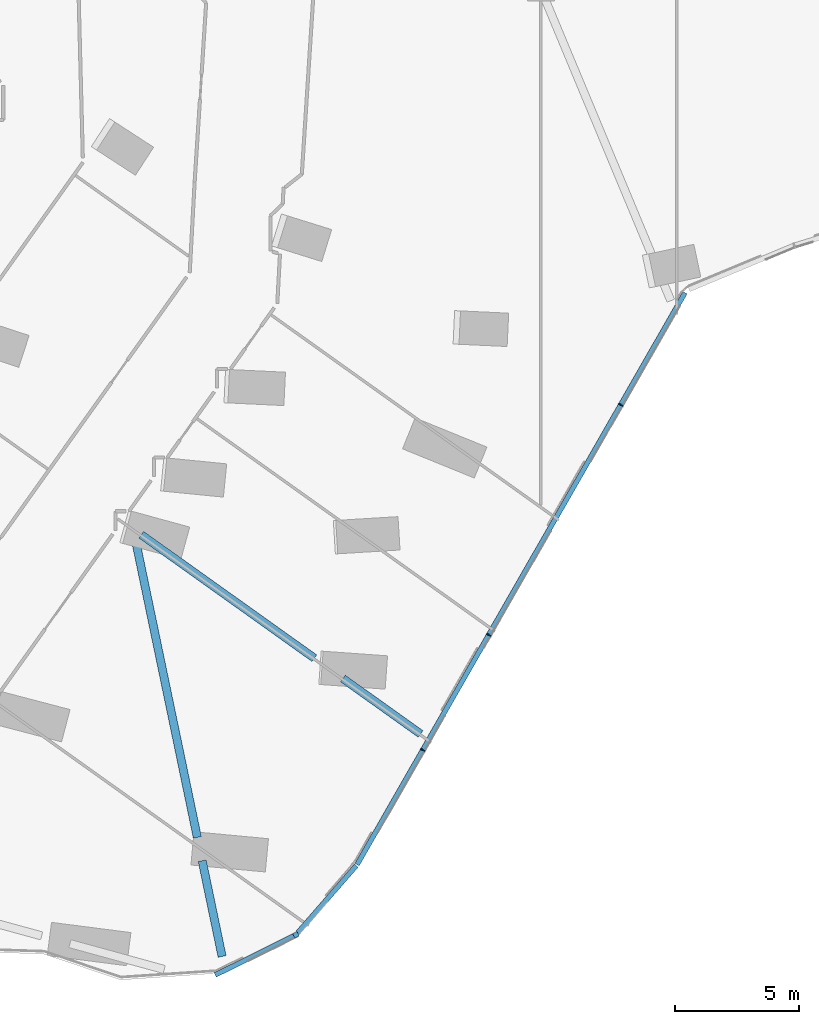
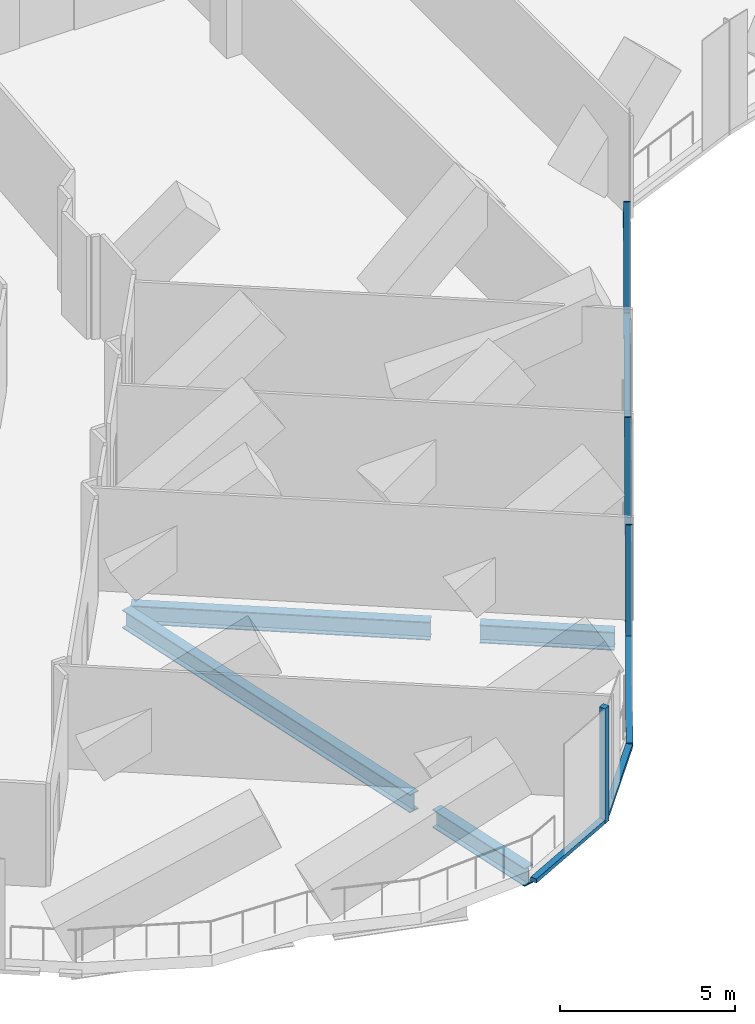
# One storey, part 5 of 34: 7 members, 4 beams, 3 elements without a shape of their own.
"""IFC4 building model written with IfcOpenShell, lengths in metres."""

import ifcopenshell
import ifcopenshell.guid

model = None  # the IFC model being written
_history = None  # IfcOwnerHistory: only IFC2X3 demands one
_inside = {}  # id of a spatial element -> (the spatial element, [elements in it])
_under = {}  # id of a project, library or spatial element -> (it, [spatial elements below it])
_declared = {}  # id of a project -> (the project, [libraries it declares])
_typed = {}  # id of a type object -> (the type object, [elements of that type])
_made_of = {}  # id of a material, layer set ... -> (it, [elements and type objects made of it])


def new_model(schema):
    """Start an empty IFC model of exactly this schema.

    Asked for "IFC4X3", IfcOpenShell would pick the latest addendum, in which some entities
    have other attributes; the version numbers below select the first issue.
    IFC2X3 requires an IfcOwnerHistory on every rooted entity: one is made here for all.
    """
    global model, _history
    if schema == "IFC4X3":
        model = ifcopenshell.file(schema_version=(4, 3, 0, 0))
    else:
        model = ifcopenshell.file(schema=schema)
    _inside.clear()
    _under.clear()
    _declared.clear()
    _typed.clear()
    _made_of.clear()
    _history = None
    if model.schema == "IFC2X3":
        org = make("IfcOrganization", Name="unknown")
        user = make(
            "IfcPersonAndOrganization",
            ThePerson=make("IfcPerson", FamilyName="unknown"),
            TheOrganization=org,
        )
        app = make(
            "IfcApplication",
            ApplicationDeveloper=org,
            Version="unknown",
            ApplicationFullName="unknown",
            ApplicationIdentifier="unknown",
        )
        _history = make(
            "IfcOwnerHistory",
            OwningUser=user,
            OwningApplication=app,
            ChangeAction="ADDED",
            CreationDate=0,
        )
    return model


def make(cls, **values):
    """One entity of the class cls with the attributes given. An attribute that is None is left unset."""
    return model.create_entity(
        cls, **{name: value for name, value in values.items() if value is not None}
    )


def rooted(cls, **values):
    """An entity with a GlobalId (a new one), such as an element, a storey or a relation."""
    return make(cls, GlobalId=ifcopenshell.guid.new(), OwnerHistory=_history, **values)


def si_unit(unit_type, name, prefix=None):
    """IfcSIUnit, for example si_unit("LENGTHUNIT", "METRE", prefix="MILLI")."""
    return make("IfcSIUnit", UnitType=unit_type, Prefix=prefix, Name=name)


def assignment(units):
    """IfcUnitAssignment: the units of a project."""
    return None if units is None else make("IfcUnitAssignment", Units=units)


def point(xyz):
    """IfcCartesianPoint."""
    return None if xyz is None else make("IfcCartesianPoint", Coordinates=xyz)


def direction(xyz):
    """IfcDirection."""
    return None if xyz is None else make("IfcDirection", DirectionRatios=xyz)


def frame(location, z_axis=None, x_axis=None):
    """IfcAxis2Placement3D, a coordinate frame: its origin and axes. An axis left out is left unset."""
    return make(
        "IfcAxis2Placement3D",
        Location=point(location),
        Axis=direction(z_axis),
        RefDirection=direction(x_axis),
    )


def frame_2d(location, x_axis=None):
    """IfcAxis2Placement2D, a coordinate frame in the plane: its origin and x axis."""
    return make(
        "IfcAxis2Placement2D", Location=point(location), RefDirection=direction(x_axis)
    )


def origin():
    """The frame at (0, 0, 0) with its axes left unset."""
    return frame((0.0, 0.0, 0.0))


def origin_2d():
    """The frame at (0, 0) in the plane with its x axis left unset."""
    return frame_2d((0.0, 0.0))


def place(relative_to, where):
    """IfcLocalPlacement: puts the frame where relative to a parent placement (None: the world)."""
    return make(
        "IfcLocalPlacement", PlacementRelTo=relative_to, RelativePlacement=where
    )


def context(
    kind, dimensions, precision=None, world=None, true_north=None, identifier=None
):
    """IfcGeometricRepresentationContext, for example the 3D "Model" context."""
    return make(
        "IfcGeometricRepresentationContext",
        ContextIdentifier=identifier,
        ContextType=kind,
        CoordinateSpaceDimension=dimensions,
        Precision=precision,
        WorldCoordinateSystem=world,
        TrueNorth=true_north,
    )


def subcontext(parent, identifier, kind, view, scale=None):
    """IfcGeometricRepresentationSubContext, for example "Body" below "Model"."""
    return make(
        "IfcGeometricRepresentationSubContext",
        ContextIdentifier=identifier,
        ContextType=kind,
        ParentContext=parent,
        TargetScale=scale,
        TargetView=view,
    )


def project(units=None, contexts=None):
    """IfcProject with its units and contexts."""
    return rooted(
        "IfcProject",
        Name="project",
        RepresentationContexts=contexts,
        UnitsInContext=assignment(units),
    )


def spatial(cls, under=None, at=None, **own):
    """A site, building, storey or space (cls), placed at a placement, below another one or the project."""
    s = rooted(cls, ObjectPlacement=at, **own)
    if under is not None:
        _under.setdefault(under.id(), (under, []))[1].append(s)
    return s


def profile(cls, at=None, kind="AREA", **sizes):
    """A parametric profile (cls). Its sizes go by their IFC names, for example OverallWidth=200.0."""
    return make(cls, ProfileType=kind, Position=at, **sizes)


def rectangle(**sizes):
    """IfcRectangleProfileDef."""
    return profile("IfcRectangleProfileDef", **sizes)


def i_section(**sizes):
    """IfcIShapeProfileDef."""
    return profile("IfcIShapeProfileDef", **sizes)


def extrude(swept, where, along, depth):
    """IfcExtrudedAreaSolid: the profile swept, set in the frame where, extruded along a direction by depth."""
    return make(
        "IfcExtrudedAreaSolid",
        SweptArea=swept,
        Position=where,
        ExtrudedDirection=direction(along),
        Depth=depth,
    )


def shape(context_of_items, identifier, shape_type, items):
    """IfcShapeRepresentation: the items that make up one representation, for example the "Body"."""
    return make(
        "IfcShapeRepresentation",
        ContextOfItems=context_of_items,
        RepresentationIdentifier=identifier,
        RepresentationType=shape_type,
        Items=items,
    )


def material(Name=None, Category=None):
    """IfcMaterial."""
    return make("IfcMaterial", Name=Name, Category=Category)


def material_profile(
    of_material, cross_section, Name=None, Category=None, Priority=None
):
    """IfcMaterialProfile: a cross section and its material."""
    return make(
        "IfcMaterialProfile",
        Name=Name,
        Material=of_material,
        Profile=cross_section,
        Priority=Priority,
        Category=Category,
    )


def profile_set(profiles, Name=None, composite=None):
    """IfcMaterialProfileSet."""
    return make(
        "IfcMaterialProfileSet",
        Name=Name,
        MaterialProfiles=profiles,
        CompositeProfile=composite,
    )


def made_of(thing, what):
    """Note that an element or type object is made of a material, layer set ...; save() writes the relation."""
    if what is not None:
        _made_of.setdefault(what.id(), (what, []))[1].append(thing)
    return thing


def type_object(cls, material=None, **own):
    """A type object (cls), such as IfcWallType, which elements share."""
    return made_of(rooted(cls, **own), material)


def element(
    cls,
    number,
    at=None,
    inside=None,
    cuts=None,
    type_object=None,
    material=None,
    context=None,
    identifier="Body",
    shape_type=None,
    held_by="IfcProductDefinitionShape",
    body=None,
    shapes=None,
    **own,
):
    """One element of the class cls, such as IfcWall. Its Tag is "e" and its number.

    at: its placement. inside: the storey or other place that contains it. cuts: it is an
    opening in that element (IfcRelVoidsElement). A single representation is given by context,
    identifier, shape_type and body (its items); several are given by shapes. held_by: the class
    of the entity that holds the representations. save() writes the other relations.
    """
    e = rooted(cls, Tag="e%d" % number, ObjectPlacement=at, **own)
    if body is not None:
        shapes = [shape(context, identifier, shape_type, body)]
    if shapes is not None:
        e.Representation = make(held_by, Representations=shapes)
    if inside is not None:
        _inside.setdefault(inside.id(), (inside, []))[1].append(e)
    if cuts is not None:
        rooted(
            "IfcRelVoidsElement", RelatingBuildingElement=cuts, RelatedOpeningElement=e
        )
    if type_object is not None:
        _typed.setdefault(type_object.id(), (type_object, []))[1].append(e)
    return made_of(e, material)


def aggregate(whole, parts):
    """IfcRelAggregates: a whole, such as a stair, and the parts it consists of."""
    return rooted("IfcRelAggregates", RelatingObject=whole, RelatedObjects=parts)


def save(model, path):
    """Write the relations noted so far, then the file.

    IfcRelAggregates (storeys below a building ...), IfcRelContainedInSpatialStructure (elements
    in a storey), IfcRelDefinesByType, IfcRelAssociatesMaterial and IfcRelDeclares: one each for
    every whole, place, type object, material and project.
    """
    for whole, parts in _under.values():
        aggregate(whole, parts)
    for where, things in _inside.values():
        rooted(
            "IfcRelContainedInSpatialStructure",
            RelatedElements=things,
            RelatingStructure=where,
        )
    for kind, things in _typed.values():
        rooted("IfcRelDefinesByType", RelatedObjects=things, RelatingType=kind)
    for what, things in _made_of.values():
        rooted("IfcRelAssociatesMaterial", RelatedObjects=things, RelatingMaterial=what)
    for by, libraries in _declared.values():
        rooted("IfcRelDeclares", RelatingContext=by, RelatedDefinitions=libraries)
    model.write(path)


model = new_model("IFC4")

# Units and contexts
model_context = context("Model", 3, precision=1e-05, world=origin(), true_north=direction((0.0, 1.0)))
body_context = subcontext(model_context, "Body", "Model", "MODEL_VIEW")
ifc_project = project(units=[si_unit("LENGTHUNIT", "METRE"), si_unit("AREAUNIT", "SQUARE_METRE"), si_unit("VOLUMEUNIT", "CUBIC_METRE"), si_unit("PLANEANGLEUNIT", "RADIAN"), si_unit("MASSUNIT", "GRAM", prefix="KILO")], contexts=[model_context])

# Site, building, storey
site_placement = place(None, origin())
site = spatial("IfcSite", under=ifc_project, at=site_placement, CompositionType="ELEMENT")
building_placement = place(site_placement, origin())
building = spatial("IfcBuilding", under=site, at=building_placement, Name="Orlundy Tower", CompositionType="ELEMENT")
storey_placement = place(building_placement, frame((0.0, 0.0, 98.199951171875)))
storey = spatial("IfcBuildingStorey", under=building, at=storey_placement, Name="L24", CompositionType="ELEMENT", Elevation=98.199951171875)

# Beams
ifc_material_1 = material(Name="Steel ASTM A992 Gr 50", Category="steel")
ifc_material_profile_1 = material_profile(ifc_material_1, i_section(OverallWidth=0.3291015625, OverallDepth=0.635009765625, WebThickness=0.017822265625, FlangeThickness=0.031005859375, at=origin_2d()), Name="W24X162")
ifc_profile_set_1 = profile_set([ifc_material_profile_1], Name="Steel ASTM A992 Gr 50")
beam_type = type_object("IfcBeamType", Name="CANTILEVER GIRDER beam W24X162", PredefinedType="BEAM", material=ifc_profile_set_1)
beam_1_placement = place(storey_placement, frame((-4.861572265625, -48.080078125, -0.717529296875), z_axis=(-0.814169670951, 0.580627029085, 0.0), x_axis=(-0.580627029085, -0.814169670951, 0.0)))
element("IfcBeam", 1, at=beam_1_placement, inside=storey, type_object=beam_type, Name="Cantilever girder C-B5-2 L24", PredefinedType="BEAM", context=body_context, shape_type="SweptSolid", body=[
    extrude(i_section(OverallWidth=0.3291015625, OverallDepth=0.635009765625, WebThickness=0.017822265625, FlangeThickness=0.031005859375, at=origin_2d()), origin(), (0.0, 0.0, 1.0), 3.85546875),
])
beam_2_placement = place(storey_placement, frame((-9.151611328125, -45.0205078125, -0.717529296875), z_axis=(-0.814151778989, 0.580652116822, 0.0), x_axis=(-0.580652116822, -0.814151778989, 0.0)))
element("IfcBeam", 2, at=beam_2_placement, inside=storey, type_object=beam_type, Name="Back-span girder C-B5-2 L24", PredefinedType="BEAM", context=body_context, shape_type="SweptSolid", body=[
    extrude(i_section(OverallWidth=0.3291015625, OverallDepth=0.635009765625, WebThickness=0.017822265625, FlangeThickness=0.031005859375, at=origin_2d()), origin(), (0.0, 0.0, 1.0), 8.592529296875),
])
beam_3_placement = place(storey_placement, frame((-12.880615234375, -57.06884765625, -0.717529296875), z_axis=(-0.203658059002, 0.979042080303, 0.0), x_axis=(-0.979042080303, -0.203658059002, 0.0)))
element("IfcBeam", 3, at=beam_3_placement, inside=storey, type_object=beam_type, Name="Cantilever girder C-B5-3 L24", PredefinedType="BEAM", context=body_context, shape_type="SweptSolid", body=[
    extrude(i_section(OverallWidth=0.3291015625, OverallDepth=0.635009765625, WebThickness=0.017822265625, FlangeThickness=0.031005859375, at=origin_2d()), origin(), (0.0, 0.0, 1.0), 3.949951171875),
])
beam_4_placement = place(storey_placement, frame((-13.880859375, -52.260498046875, -0.717529296875), z_axis=(-0.203658478429, 0.979041993054, 0.0), x_axis=(-0.979041993054, -0.203658478429, 0.0)))
element("IfcBeam", 4, at=beam_4_placement, inside=storey, type_object=beam_type, Name="Back-span girder C-B5-3 L24", PredefinedType="BEAM", context=body_context, shape_type="SweptSolid", body=[
    extrude(i_section(OverallWidth=0.3291015625, OverallDepth=0.635009765625, WebThickness=0.017822265625, FlangeThickness=0.031005859375, at=origin_2d()), origin(), (0.0, 0.0, 1.0), 12.328125),
])

# Curtain wall, member
ifc_material_2 = material(Name="Aluminium bronze anodised", Category="aluminium")
curtain_wall_type = type_object("IfcCurtainWallType", Name="CW5 wall", PredefinedType="NOTDEFINED", material=ifc_material_2)
curtain_wall_1_placement = place(storey_placement, origin())
curtain_wall_1 = element("IfcCurtainWall", 5, at=curtain_wall_1_placement, inside=storey, type_object=curtain_wall_type, Name="CW5 run 02", PredefinedType="NOTDEFINED")
ifc_material_3 = material(Name="Aluminium bronze anodised", Category="aluminium")
ifc_material_profile_2 = material_profile(ifc_material_3, rectangle(XDim=0.199951171875, YDim=0.199951171875, at=origin_2d()), Name="CW5 corner post 200x200")
ifc_profile_set_2 = profile_set([ifc_material_profile_2], Name="Aluminium bronze anodised")
member_type_1 = type_object("IfcMemberType", Name="CW5 corner post 200x200", PredefinedType="MULLION", material=ifc_profile_set_2)
member_1_placement = place(storey_placement, frame((-9.897705078125, -56.19775390625, -0.39990234375), z_axis=(0.0, 0.0, 1.0), x_axis=(0.444838111689, -0.895610995013, 0.0)))
member_1 = element("IfcMember", 6, at=member_1_placement, type_object=member_type_1, Name="CW5 mullion 7", PredefinedType="MULLION", context=body_context, shape_type="SweptSolid", body=[
    extrude(rectangle(XDim=0.199951171875, YDim=0.199951171875, at=origin_2d()), origin(), (0.0, 0.0, 1.0), 4.0),
])

# Curtain wall, members
curtain_wall_2_placement = place(storey_placement, origin())
curtain_wall_2 = element("IfcCurtainWall", 7, at=curtain_wall_2_placement, inside=storey, type_object=curtain_wall_type, Name="CW5 run 00", PredefinedType="NOTDEFINED")
ifc_material_4 = material(Name="Aluminium bronze anodised", Category="aluminium")
ifc_material_profile_3 = material_profile(ifc_material_4, rectangle(XDim=0.199951171875, YDim=0.050048828125, at=origin_2d()), Name="CW5 mullion 50x200")
ifc_profile_set_3 = profile_set([ifc_material_profile_3], Name="Aluminium bronze anodised")
member_type_2 = type_object("IfcMemberType", Name="CW5 mullion 50x200", PredefinedType="MULLION", material=ifc_profile_set_3)
member_2_placement = place(storey_placement, frame((3.221923828125, -34.78564453125, -0.39990234375), z_axis=(0.0, 0.0, 1.0), x_axis=(0.867479299789, -0.497473280125, 0.0)))
member_2 = element("IfcMember", 8, at=member_2_placement, type_object=member_type_2, Name="CW5 mullion 2", PredefinedType="MULLION", context=body_context, shape_type="SweptSolid", body=[
    extrude(rectangle(XDim=0.199951171875, YDim=0.050048828125, at=origin_2d()), origin(), (0.0, 0.0, 1.0), 4.0),
])
member_3_placement = place(storey_placement, frame((-2.107666015625, -44.0791015625, -0.39990234375), z_axis=(0.0, 0.0, 1.0), x_axis=(0.867479299789, -0.497473280125, 0.0)))
member_3 = element("IfcMember", 9, at=member_3_placement, type_object=member_type_2, Name="CW5 mullion 4", PredefinedType="MULLION", context=body_context, shape_type="SweptSolid", body=[
    extrude(rectangle(XDim=0.199951171875, YDim=0.050048828125, at=origin_2d()), origin(), (0.0, 0.0, 1.0), 4.0),
])
member_4_placement = place(storey_placement, frame((-4.7724609375, -48.725830078125, -0.39990234375), z_axis=(0.0, 0.0, 1.0), x_axis=(0.867479299789, -0.497473280125, 0.0)))
member_4 = element("IfcMember", 10, at=member_4_placement, type_object=member_type_2, Name="CW5 mullion 5", PredefinedType="MULLION", context=body_context, shape_type="SweptSolid", body=[
    extrude(rectangle(XDim=0.199951171875, YDim=0.050048828125, at=origin_2d()), origin(), (0.0, 0.0, 1.0), 4.0),
])
ifc_material_5 = material(Name="Aluminium bronze anodised", Category="aluminium")
ifc_material_profile_4 = material_profile(ifc_material_5, rectangle(XDim=0.199951171875, YDim=0.139892578125, at=origin_2d()), Name="CW5 transom 200x140")
ifc_profile_set_4 = profile_set([ifc_material_profile_4], Name="Aluminium bronze anodised")
member_type_3 = type_object("IfcMemberType", Name="CW5 transom 200x140", PredefinedType="USERDEFINED", material=ifc_profile_set_4)
member_5_placement = place(storey_placement, frame((5.820068359375, -30.2548828125, -0.329833984375), z_axis=(-0.497470022066, -0.867481168179, 0.0), x_axis=(0.867481168179, -0.497470022066, 0.0)))
member_5 = element("IfcMember", 11, at=member_5_placement, type_object=member_type_3, Name="CW5 transom", ObjectType="TRANSOM", PredefinedType="USERDEFINED", context=body_context, shape_type="SweptSolid", body=[
    extrude(rectangle(XDim=0.199951171875, YDim=0.139892578125, at=origin_2d()), origin(), (0.0, 0.0, 1.0), 26.63427734375),
])
aggregate(curtain_wall_2, [member_2, member_3, member_4, member_5])

# Curtain wall, member
curtain_wall_3_placement = place(storey_placement, origin())
curtain_wall_3 = element("IfcCurtainWall", 12, at=curtain_wall_3_placement, inside=storey, type_object=curtain_wall_type, Name="CW5 run 01", PredefinedType="NOTDEFINED")
member_6_placement = place(storey_placement, frame((-7.458740234375, -53.400146484375, -0.329833984375), z_axis=(-0.657146058215, -0.753763264011, 0.0), x_axis=(0.753763264011, -0.657146058215, 0.0)))
member_6 = element("IfcMember", 13, at=member_6_placement, type_object=member_type_3, Name="CW5 transom", ObjectType="TRANSOM", PredefinedType="USERDEFINED", context=body_context, shape_type="SweptSolid", body=[
    extrude(rectangle(XDim=0.199951171875, YDim=0.139892578125, at=origin_2d()), origin(), (0.0, 0.0, 1.0), 3.603271484375),
])
aggregate(curtain_wall_3, [member_6])

# Member
member_7_placement = place(storey_placement, frame((-9.9873046875, -56.2421875, -0.329833984375), z_axis=(-0.895624481818, -0.444810957113, 0.0), x_axis=(0.444810957113, -0.895624481818, 0.0)))
member_7 = element("IfcMember", 14, at=member_7_placement, type_object=member_type_3, Name="CW5 transom", ObjectType="TRANSOM", PredefinedType="USERDEFINED", context=body_context, shape_type="SweptSolid", body=[
    extrude(rectangle(XDim=0.199951171875, YDim=0.139892578125, at=origin_2d()), origin(), (0.0, 0.0, 1.0), 3.53857421875),
])

aggregate(curtain_wall_1, [member_1, member_7])

save(model, "model.ifc")
